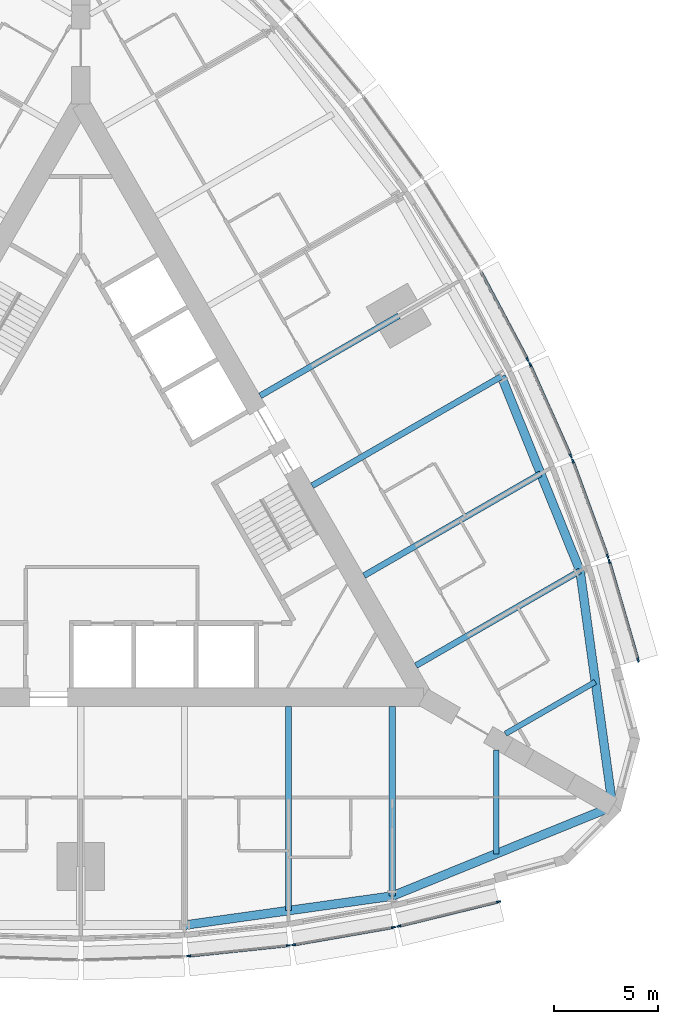
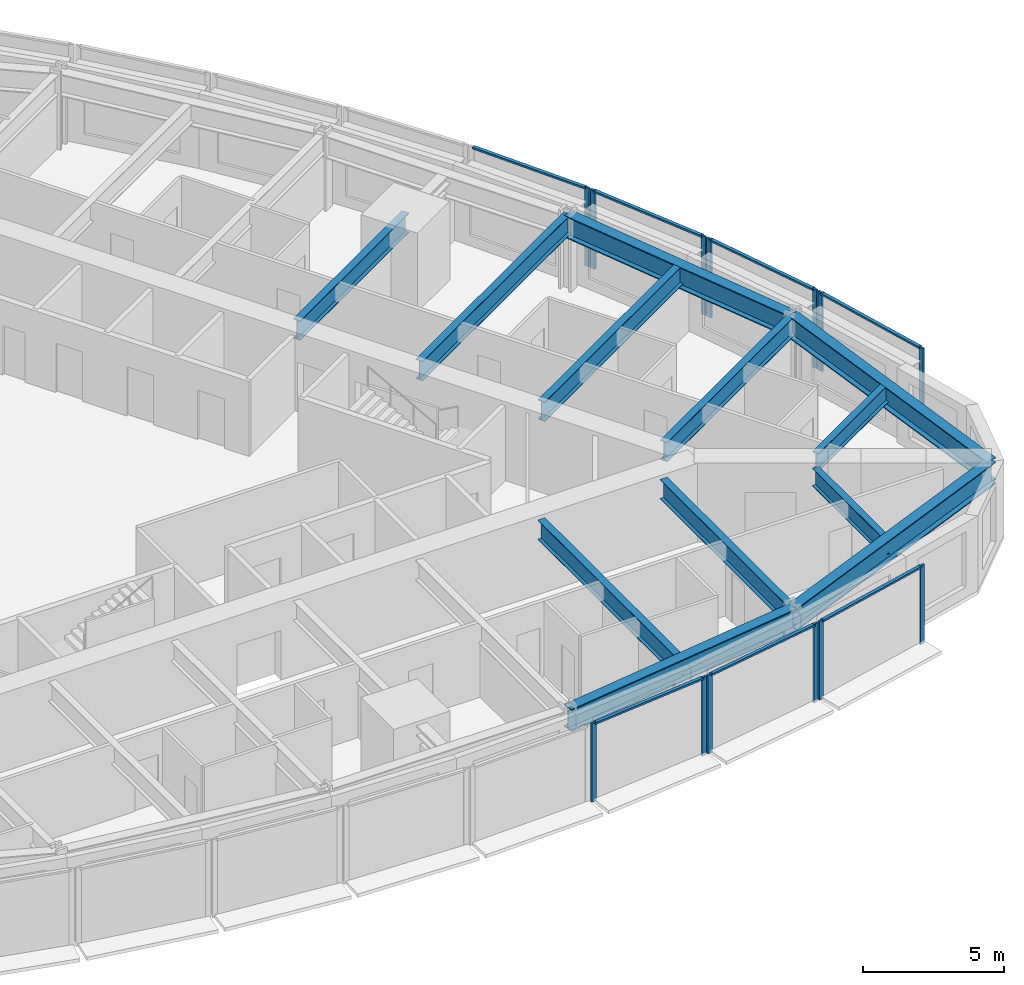
# One storey, part 3 of 14: 20 members, 12 beams, 7 elements without a shape of their own.
"""IFC4 building model written with IfcOpenShell, lengths in metres."""

from ifc_helpers import new_model, si_unit, direction, frame, origin, origin_2d, place, context, subcontext, project, spatial, rectangle, i_section, extrude, material, material_profile, profile_set, type_object, element, aggregate, save


model = new_model("IFC4")

# Units and contexts
model_context = context("Model", 3, precision=1e-05, world=origin(), true_north=direction((0.0, 1.0)))
body_context = subcontext(model_context, "Body", "Model", "MODEL_VIEW")
ifc_project = project(units=[si_unit("LENGTHUNIT", "METRE"), si_unit("AREAUNIT", "SQUARE_METRE"), si_unit("VOLUMEUNIT", "CUBIC_METRE"), si_unit("PLANEANGLEUNIT", "RADIAN"), si_unit("MASSUNIT", "GRAM", prefix="KILO")], contexts=[model_context])

# Site, building, storey
site_placement = place(None, origin())
site = spatial("IfcSite", under=ifc_project, at=site_placement, CompositionType="ELEMENT")
building_placement = place(site_placement, origin())
building = spatial("IfcBuilding", under=site, at=building_placement, Name="Trikona Tower", CompositionType="ELEMENT")
storey_placement = place(building_placement, frame((0.0, 0.0, 128.300048828125)))
storey = spatial("IfcBuildingStorey", under=building, at=storey_placement, Name="L33", CompositionType="ELEMENT", Elevation=128.300048828125)

# Curtain wall, members
ifc_material_1 = material(Name="Aluminium curtain wall system", Category="aluminium")
curtain_wall_type = type_object("IfcCurtainWallType", Name="Curtain wall DS2", PredefinedType="NOTDEFINED", material=ifc_material_1)
curtain_wall_1_placement = place(storey_placement, origin())
curtain_wall_1 = element("IfcCurtainWall", 1, at=curtain_wall_1_placement, inside=storey, type_object=curtain_wall_type, Name="Curtain wall DS2 L33", PredefinedType="NOTDEFINED")
ifc_material_2 = material(Name="Aluminium mullion, pale anodised", Category="aluminium")
ifc_material_profile_1 = material_profile(ifc_material_2, rectangle(XDim=0.080078125, YDim=0.199951171875, at=origin_2d()), Name="MUL-DS2")
ifc_profile_set_1 = profile_set([ifc_material_profile_1], Name="Aluminium mullion, pale anodised")
member_type_1 = type_object("IfcMemberType", Name="Mullion DS2 80x200", PredefinedType="MULLION", material=ifc_profile_set_1)
member_1_placement = place(storey_placement, frame((5.193359375, -21.98486328125, 0.0), z_axis=(0.0, 0.0, 1.0), x_axis=(-0.104433387357, 0.994531883654, 0.0)))
member_1 = element("IfcMember", 2, at=member_1_placement, type_object=member_type_1, Name="CW-DS2 mullion 1", PredefinedType="MULLION", context=body_context, shape_type="SweptSolid", body=[
    extrude(rectangle(XDim=0.080078125, YDim=0.199951171875, at=origin_2d()), origin(), (0.0, 0.0, 1.0), 3.39990234375),
])
member_2_placement = place(storey_placement, frame((9.99462890625, -21.480712890625, 0.0), z_axis=(0.0, 0.0, 1.0), x_axis=(-0.104433387357, 0.994531883654, 0.0)))
member_2 = element("IfcMember", 3, at=member_2_placement, type_object=member_type_1, Name="CW-DS2 mullion 2", PredefinedType="MULLION", context=body_context, shape_type="SweptSolid", body=[
    extrude(rectangle(XDim=0.080078125, YDim=0.199951171875, at=origin_2d()), origin(), (0.0, 0.0, 1.0), 3.39990234375),
])

curtain_wall_2_placement = place(storey_placement, origin())
curtain_wall_2 = element("IfcCurtainWall", 4, at=curtain_wall_2_placement, inside=storey, type_object=curtain_wall_type, Name="Curtain wall DS2 L33", PredefinedType="NOTDEFINED")
member_3_placement = place(storey_placement, frame((10.253662109375, -21.444580078125, 0.0), z_axis=(0.0, 0.0, 1.0), x_axis=(-0.17237739505, 0.985030981074, 0.0)))
member_3 = element("IfcMember", 5, at=member_3_placement, type_object=member_type_1, Name="CW-DS2 mullion 1", PredefinedType="MULLION", context=body_context, shape_type="SweptSolid", body=[
    extrude(rectangle(XDim=0.080078125, YDim=0.199951171875, at=origin_2d()), origin(), (0.0, 0.0, 1.0), 3.39990234375),
])
member_4_placement = place(storey_placement, frame((15.056640625, -20.60400390625, 0.0), z_axis=(0.0, 0.0, 1.0), x_axis=(-0.17237739505, 0.985030981074, 0.0)))
member_4 = element("IfcMember", 6, at=member_4_placement, type_object=member_type_1, Name="CW-DS2 mullion 2", PredefinedType="MULLION", context=body_context, shape_type="SweptSolid", body=[
    extrude(rectangle(XDim=0.080078125, YDim=0.199951171875, at=origin_2d()), origin(), (0.0, 0.0, 1.0), 3.39990234375),
])

curtain_wall_3_placement = place(storey_placement, origin())
curtain_wall_3 = element("IfcCurtainWall", 7, at=curtain_wall_3_placement, inside=storey, type_object=curtain_wall_type, Name="Curtain wall DS2 L33", PredefinedType="NOTDEFINED")
member_5_placement = place(storey_placement, frame((15.311279296875, -20.550537109375, 0.0), z_axis=(0.0, 0.0, 1.0), x_axis=(-0.237970204243, 0.971272455026, 0.0)))
member_5 = element("IfcMember", 8, at=member_5_placement, type_object=member_type_1, Name="CW-DS2 mullion 1", PredefinedType="MULLION", context=body_context, shape_type="SweptSolid", body=[
    extrude(rectangle(XDim=0.080078125, YDim=0.199951171875, at=origin_2d()), origin(), (0.0, 0.0, 1.0), 3.39990234375),
])
member_6_placement = place(storey_placement, frame((20.116943359375, -19.373046875, 0.0), z_axis=(0.0, 0.0, 1.0), x_axis=(-0.237970204243, 0.971272455026, 0.0)))
member_6 = element("IfcMember", 9, at=member_6_placement, type_object=member_type_1, Name="CW-DS2 mullion 2", PredefinedType="MULLION", context=body_context, shape_type="SweptSolid", body=[
    extrude(rectangle(XDim=0.080078125, YDim=0.199951171875, at=origin_2d()), origin(), (0.0, 0.0, 1.0), 3.39990234375),
])

curtain_wall_4_placement = place(storey_placement, origin())
curtain_wall_4 = element("IfcCurtainWall", 10, at=curtain_wall_4_placement, inside=storey, type_object=curtain_wall_type, Name="Curtain wall DS2 L33", PredefinedType="NOTDEFINED")
member_7_placement = place(storey_placement, frame((26.836181640625, -7.7353515625, 0.0), z_axis=(0.0, 0.0, 1.0), x_axis=(-0.96013310152, -0.279543247757, 0.0)))
member_7 = element("IfcMember", 11, at=member_7_placement, type_object=member_type_1, Name="CW-DS2 mullion 1", PredefinedType="MULLION", context=body_context, shape_type="SweptSolid", body=[
    extrude(rectangle(XDim=0.080078125, YDim=0.199951171875, at=origin_2d()), origin(), (0.0, 0.0, 1.0), 3.39990234375),
])
member_8_placement = place(storey_placement, frame((25.452880859375, -2.984619140625, 0.0), z_axis=(0.0, 0.0, 1.0), x_axis=(-0.96013310152, -0.279543247757, 0.0)))
member_8 = element("IfcMember", 12, at=member_8_placement, type_object=member_type_1, Name="CW-DS2 mullion 2", PredefinedType="MULLION", context=body_context, shape_type="SweptSolid", body=[
    extrude(rectangle(XDim=0.080078125, YDim=0.199951171875, at=origin_2d()), origin(), (0.0, 0.0, 1.0), 3.39990234375),
])

curtain_wall_5_placement = place(storey_placement, origin())
curtain_wall_5 = element("IfcCurtainWall", 13, at=curtain_wall_5_placement, inside=storey, type_object=curtain_wall_type, Name="Curtain wall DS2 L33", PredefinedType="NOTDEFINED")
member_9_placement = place(storey_placement, frame((25.371826171875, -2.737548828125, 0.0), z_axis=(0.0, 0.0, 1.0), x_axis=(-0.939253790978, -0.343223420143, 0.0)))
member_9 = element("IfcMember", 14, at=member_9_placement, type_object=member_type_1, Name="CW-DS2 mullion 1", PredefinedType="MULLION", context=body_context, shape_type="SweptSolid", body=[
    extrude(rectangle(XDim=0.080078125, YDim=0.199951171875, at=origin_2d()), origin(), (0.0, 0.0, 1.0), 3.39990234375),
])
member_10_placement = place(storey_placement, frame((23.6982421875, 1.84228515625, 0.0), z_axis=(0.0, 0.0, 1.0), x_axis=(-0.939253790978, -0.343223420143, 0.0)))
member_10 = element("IfcMember", 15, at=member_10_placement, type_object=member_type_1, Name="CW-DS2 mullion 2", PredefinedType="MULLION", context=body_context, shape_type="SweptSolid", body=[
    extrude(rectangle(XDim=0.080078125, YDim=0.199951171875, at=origin_2d()), origin(), (0.0, 0.0, 1.0), 3.39990234375),
])

curtain_wall_6_placement = place(storey_placement, origin())
curtain_wall_6 = element("IfcCurtainWall", 16, at=curtain_wall_6_placement, inside=storey, type_object=curtain_wall_type, Name="Curtain wall DS2 L33", PredefinedType="NOTDEFINED")
member_11_placement = place(storey_placement, frame((23.60009765625, 2.0849609375, 0.0), z_axis=(0.0, 0.0, 1.0), x_axis=(-0.913501208767, -0.406836013132, 0.0)))
member_11 = element("IfcMember", 17, at=member_11_placement, type_object=member_type_1, Name="CW-DS2 mullion 1", PredefinedType="MULLION", context=body_context, shape_type="SweptSolid", body=[
    extrude(rectangle(XDim=0.080078125, YDim=0.199951171875, at=origin_2d()), origin(), (0.0, 0.0, 1.0), 3.39990234375),
])
member_12_placement = place(storey_placement, frame((21.63623046875, 6.494873046875, 0.0), z_axis=(0.0, 0.0, 1.0), x_axis=(-0.913501208767, -0.406836013132, 0.0)))
member_12 = element("IfcMember", 18, at=member_12_placement, type_object=member_type_1, Name="CW-DS2 mullion 2", PredefinedType="MULLION", context=body_context, shape_type="SweptSolid", body=[
    extrude(rectangle(XDim=0.080078125, YDim=0.199951171875, at=origin_2d()), origin(), (0.0, 0.0, 1.0), 3.39990234375),
])

# Curtain wall, member
curtain_wall_7_placement = place(storey_placement, origin())
curtain_wall_7 = element("IfcCurtainWall", 19, at=curtain_wall_7_placement, inside=storey, type_object=curtain_wall_type, Name="Curtain wall DS2 L33", PredefinedType="NOTDEFINED")
member_13_placement = place(storey_placement, frame((21.52099609375, 6.730712890625, 0.0), z_axis=(0.0, 0.0, 1.0), x_axis=(-0.882996107343, -0.469380308937, 0.0)))
member_13 = element("IfcMember", 20, at=member_13_placement, type_object=member_type_1, Name="CW-DS2 mullion 1", PredefinedType="MULLION", context=body_context, shape_type="SweptSolid", body=[
    extrude(rectangle(XDim=0.080078125, YDim=0.199951171875, at=origin_2d()), origin(), (0.0, 0.0, 1.0), 3.39990234375),
])

# Beams
ifc_material_3 = material(Name="Steel ASTM A992 Grade 50", Category="steel")
ifc_material_profile_2 = material_profile(ifc_material_3, i_section(OverallWidth=0.2666015625, OverallDepth=0.76953125, WebThickness=0.015625, FlangeThickness=0.025390625, at=origin_2d()), Name="W30X132")
ifc_profile_set_2 = profile_set([ifc_material_profile_2], Name="Steel ASTM A992 Grade 50")
beam_type_1 = type_object("IfcBeamType", Name="Steel beam W30x132 (wedge)", PredefinedType="BEAM", material=ifc_profile_set_2)
beam_1_placement = place(storey_placement, frame((20.0, -12.066650390625, 2.85009765625), z_axis=(0.0, -1.0, 0.0), x_axis=(1.0, 0.0, 0.0)))
element("IfcBeam", 21, at=beam_1_placement, inside=storey, type_object=beam_type_1, Name="Floor beam L34 F1 u20", PredefinedType="BEAM", context=body_context, shape_type="SweptSolid", body=[
    extrude(i_section(OverallWidth=0.2666015625, OverallDepth=0.76953125, WebThickness=0.015625, FlangeThickness=0.025390625, at=origin_2d()), origin(), (0.0, 0.0, 1.0), 5.00048828125),
])
beam_2_placement = place(storey_placement, frame((20.449951171875, -11.287109375, 2.85009765625), z_axis=(0.866038434829, 0.49997742889, 0.0), x_axis=(-0.49997742889, 0.866038434829, 0.0)))
element("IfcBeam", 22, at=beam_2_placement, inside=storey, type_object=beam_type_1, Name="Floor beam L34 F2 u-20", PredefinedType="BEAM", context=body_context, shape_type="SweptSolid", body=[
    extrude(i_section(OverallWidth=0.2666015625, OverallDepth=0.76953125, WebThickness=0.015625, FlangeThickness=0.025390625, at=origin_2d()), origin(), (0.0, 0.0, 1.0), 5.000732421875),
])
ifc_material_4 = material(Name="Steel ASTM A992 Grade 50", Category="steel")
ifc_material_profile_3 = material_profile(ifc_material_4, i_section(OverallWidth=0.2919921875, OverallDepth=0.845703125, WebThickness=0.015380859375, FlangeThickness=0.0244140625, at=origin_2d()), Name="W33X141")
ifc_profile_set_3 = profile_set([ifc_material_profile_3], Name="Steel ASTM A992 Grade 50")
beam_type_2 = type_object("IfcBeamType", Name="Steel beam W33x141 (radial typ)", PredefinedType="BEAM", material=ifc_profile_set_3)
beam_3_placement = place(storey_placement, frame((10.0, -9.976318359375, 2.81201171875), z_axis=(0.0, -1.0, 0.0), x_axis=(1.0, 0.0, 0.0)))
element("IfcBeam", 23, at=beam_3_placement, inside=storey, type_object=beam_type_2, Name="Floor beam L34 F1 u10", PredefinedType="BEAM", context=body_context, shape_type="SweptSolid", body=[
    extrude(i_section(OverallWidth=0.2919921875, OverallDepth=0.845703125, WebThickness=0.015380859375, FlangeThickness=0.0244140625, at=origin_2d()), origin(), (0.0, 0.0, 1.0), 9.823974609375),
])
beam_4_placement = place(storey_placement, frame((15.0, -9.976318359375, 2.81201171875), z_axis=(0.0, -1.0, 0.0), x_axis=(1.0, 0.0, 0.0)))
element("IfcBeam", 24, at=beam_4_placement, inside=storey, type_object=beam_type_2, Name="Floor beam L34 F1 u15", PredefinedType="BEAM", context=body_context, shape_type="SweptSolid", body=[
    extrude(i_section(OverallWidth=0.2919921875, OverallDepth=0.845703125, WebThickness=0.015380859375, FlangeThickness=0.0244140625, at=origin_2d()), origin(), (0.0, 0.0, 1.0), 9.123779296875),
])
beam_5_placement = place(storey_placement, frame((16.1396484375, -8.002197265625, 2.81201171875), z_axis=(0.866024725532, 0.500001174766, 0.0), x_axis=(-0.500001174766, 0.866024725532, 0.0)))
element("IfcBeam", 25, at=beam_5_placement, inside=storey, type_object=beam_type_2, Name="Floor beam L34 F2 u-15", PredefinedType="BEAM", context=body_context, shape_type="SweptSolid", body=[
    extrude(i_section(OverallWidth=0.2919921875, OverallDepth=0.845703125, WebThickness=0.015380859375, FlangeThickness=0.0244140625, at=origin_2d()), origin(), (0.0, 0.0, 1.0), 9.1240234375),
])
beam_6_placement = place(storey_placement, frame((13.6396484375, -3.672119140625, 2.81201171875), z_axis=(0.866020046725, 0.500009278584, 0.0), x_axis=(-0.500009278584, 0.866020046725, 0.0)))
element("IfcBeam", 26, at=beam_6_placement, inside=storey, type_object=beam_type_2, Name="Floor beam L34 F2 u-10", PredefinedType="BEAM", context=body_context, shape_type="SweptSolid", body=[
    extrude(i_section(OverallWidth=0.2919921875, OverallDepth=0.845703125, WebThickness=0.015380859375, FlangeThickness=0.0244140625, at=origin_2d()), origin(), (0.0, 0.0, 1.0), 9.823974609375),
])
beam_7_placement = place(storey_placement, frame((11.1396484375, 0.657958984375, 2.81201171875), z_axis=(0.866026035623, 0.499998905622, 0.0), x_axis=(-0.499998905622, 0.866026035623, 0.0)))
element("IfcBeam", 27, at=beam_7_placement, inside=storey, type_object=beam_type_2, Name="Floor beam L34 F2 u-5", PredefinedType="BEAM", context=body_context, shape_type="SweptSolid", body=[
    extrude(i_section(OverallWidth=0.2919921875, OverallDepth=0.845703125, WebThickness=0.015380859375, FlangeThickness=0.0244140625, at=origin_2d()), origin(), (0.0, 0.0, 1.0), 10.52392578125),
])
beam_8_placement = place(storey_placement, frame((8.6396484375, 4.988037109375, 2.81201171875), z_axis=(0.866017246294, 0.500014128921, 0.0), x_axis=(-0.500014128921, 0.866017246294, 0.0)))
element("IfcBeam", 28, at=beam_8_placement, inside=storey, type_object=beam_type_2, Name="Floor beam L34 F2 u0", PredefinedType="BEAM", context=body_context, shape_type="SweptSolid", body=[
    extrude(i_section(OverallWidth=0.2919921875, OverallDepth=0.845703125, WebThickness=0.015380859375, FlangeThickness=0.0244140625, at=origin_2d()), origin(), (0.0, 0.0, 1.0), 7.704345703125),
])
ifc_material_5 = material(Name="Steel ASTM A992 Grade 50", Category="steel")
ifc_material_profile_4 = material_profile(ifc_material_5, i_section(OverallWidth=0.424072265625, OverallDepth=0.947509765625, WebThickness=0.02392578125, FlangeThickness=0.042724609375, at=origin_2d()), Name="W36X302")
ifc_profile_set_4 = profile_set([ifc_material_profile_4], Name="Steel ASTM A992 Grade 50")
beam_type_3 = type_object("IfcBeamType", Name="Steel beam W36x302 (spandrel)", PredefinedType="SPANDREL", material=ifc_profile_set_4)
beam_9_placement = place(storey_placement, frame((5.0, -20.500244140625, 2.76123046875), z_axis=(0.990339754644, 0.13866207258, 0.0), x_axis=(-0.13866207258, 0.990339754644, 0.0)))
element("IfcBeam", 29, at=beam_9_placement, inside=storey, type_object=beam_type_3, Name="Spandrel beam L34 F1-4", PredefinedType="SPANDREL", context=body_context, shape_type="SweptSolid", body=[
    extrude(i_section(OverallWidth=0.424072265625, OverallDepth=0.947509765625, WebThickness=0.02392578125, FlangeThickness=0.042724609375, at=origin_2d()), origin(), (0.0, 0.0, 1.0), 10.09765625),
])
for number, where, z_axis, x_axis, name in (
    (30, (15.0, -19.10009765625, 2.76123046875), (0.926359695662, 0.376640032728, 0.0), (-0.376640032728, 0.926359695662, 0.0), "Spandrel beam L34 F1-5"),
    (31, (25.6103515625, -14.7861328125, 2.76123046875), (-0.136991535842, 0.990572218017, 0.0), (-0.990572218017, -0.136991535842, 0.0), "Spandrel beam L34 F2-1"),
):
    element("IfcBeam", number, at=place(storey_placement, frame(where, z_axis=z_axis, x_axis=x_axis)), inside=storey, type_object=beam_type_3, Name=name, PredefinedType="SPANDREL", context=body_context, shape_type="SweptSolid", body=[
        extrude(i_section(OverallWidth=0.424072265625, OverallDepth=0.947509765625, WebThickness=0.02392578125, FlangeThickness=0.042724609375, at=origin_2d()), origin(), (0.0, 0.0, 1.0), 11.453857421875),
    ])
beam_10_placement = place(storey_placement, frame((24.041259765625, -3.440185546875, 2.76123046875), z_axis=(-0.375106193787, 0.926981846307, 0.0), x_axis=(-0.926981846307, -0.375106193787, 0.0)))
element("IfcBeam", 32, at=beam_10_placement, inside=storey, type_object=beam_type_3, Name="Spandrel beam L34 F2-2", PredefinedType="SPANDREL", context=body_context, shape_type="SweptSolid", body=[
    extrude(i_section(OverallWidth=0.424072265625, OverallDepth=0.947509765625, WebThickness=0.02392578125, FlangeThickness=0.042724609375, at=origin_2d()), origin(), (0.0, 0.0, 1.0), 10.097412109375),
])

# Member
ifc_material_6 = material(Name="Aluminium transom, pale anodised", Category="aluminium")
ifc_material_profile_5 = material_profile(ifc_material_6, rectangle(XDim=0.139892578125, YDim=0.080078125, at=origin_2d()), Name="TRN-DS2")
ifc_profile_set_5 = profile_set([ifc_material_profile_5], Name="Aluminium transom, pale anodised")
member_type_2 = type_object("IfcMemberType", Name="Transom DS2 80x140", PredefinedType="USERDEFINED", material=ifc_profile_set_5)
member_14_placement = place(storey_placement, frame((5.233154296875, -21.980712890625, 3.35986328125), z_axis=(0.99453106441, 0.104441188822, 0.0), x_axis=(-0.104441188822, 0.99453106441, 0.0)))
member_14 = element("IfcMember", 33, at=member_14_placement, type_object=member_type_2, Name="CW-DS2 transom 1.1", ObjectType="TRANSOM", PredefinedType="USERDEFINED", context=body_context, shape_type="SweptSolid", body=[
    extrude(rectangle(XDim=0.139892578125, YDim=0.080078125, at=origin_2d()), origin(), (0.0, 0.0, 1.0), 4.74755859375),
])

aggregate(curtain_wall_1, [member_1, member_2, member_14])

member_15_placement = place(storey_placement, frame((10.29296875, -21.4375, 3.35986328125), z_axis=(0.98503262804, 0.172367983387, 0.0), x_axis=(-0.172367983387, 0.98503262804, 0.0)))
member_15 = element("IfcMember", 34, at=member_15_placement, type_object=member_type_2, Name="CW-DS2 transom 1.1", ObjectType="TRANSOM", PredefinedType="USERDEFINED", context=body_context, shape_type="SweptSolid", body=[
    extrude(rectangle(XDim=0.139892578125, YDim=0.080078125, at=origin_2d()), origin(), (0.0, 0.0, 1.0), 4.7958984375),
])

aggregate(curtain_wall_2, [member_3, member_4, member_15])

member_16_placement = place(storey_placement, frame((15.35009765625, -20.541015625, 3.35986328125), z_axis=(0.971270583303, 0.237977843528, 0.0), x_axis=(-0.237977843528, 0.971270583303, 0.0)))
member_16 = element("IfcMember", 35, at=member_16_placement, type_object=member_type_2, Name="CW-DS2 transom 1.1", ObjectType="TRANSOM", PredefinedType="USERDEFINED", context=body_context, shape_type="SweptSolid", body=[
    extrude(rectangle(XDim=0.139892578125, YDim=0.080078125, at=origin_2d()), origin(), (0.0, 0.0, 1.0), 4.867919921875),
])

aggregate(curtain_wall_3, [member_5, member_6, member_16])

member_17_placement = place(storey_placement, frame((26.824951171875, -7.69677734375, 3.35986328125), z_axis=(-0.279566628153, 0.960126293996, 0.0), x_axis=(-0.960126293996, -0.279566628153, 0.0)))
member_17 = element("IfcMember", 36, at=member_17_placement, type_object=member_type_2, Name="CW-DS2 transom 1.1", ObjectType="TRANSOM", PredefinedType="USERDEFINED", context=body_context, shape_type="SweptSolid", body=[
    extrude(rectangle(XDim=0.139892578125, YDim=0.080078125, at=origin_2d()), origin(), (0.0, 0.0, 1.0), 4.86767578125),
])

aggregate(curtain_wall_4, [member_7, member_8, member_17])

member_18_placement = place(storey_placement, frame((25.358154296875, -2.699951171875, 3.35986328125), z_axis=(-0.343205907674, 0.939260190223, 0.0), x_axis=(-0.939260190223, -0.343205907674, 0.0)))
member_18 = element("IfcMember", 37, at=member_18_placement, type_object=member_type_2, Name="CW-DS2 transom 1.1", ObjectType="TRANSOM", PredefinedType="USERDEFINED", context=body_context, shape_type="SweptSolid", body=[
    extrude(rectangle(XDim=0.139892578125, YDim=0.080078125, at=origin_2d()), origin(), (0.0, 0.0, 1.0), 4.7958984375),
])

aggregate(curtain_wall_5, [member_9, member_10, member_18])

member_19_placement = place(storey_placement, frame((23.583740234375, 2.12158203125, 3.35986328125), z_axis=(-0.406839769607, 0.913499535778, 0.0), x_axis=(-0.913499535778, -0.406839769607, 0.0)))
member_19 = element("IfcMember", 38, at=member_19_placement, type_object=member_type_2, Name="CW-DS2 transom 1.1", ObjectType="TRANSOM", PredefinedType="USERDEFINED", context=body_context, shape_type="SweptSolid", body=[
    extrude(rectangle(XDim=0.139892578125, YDim=0.080078125, at=origin_2d()), origin(), (0.0, 0.0, 1.0), 4.747314453125),
])

aggregate(curtain_wall_6, [member_11, member_12, member_19])

member_20_placement = place(storey_placement, frame((21.502197265625, 6.76611328125, 3.35986328125), z_axis=(-0.469364343408, 0.883004594063, 0.0), x_axis=(-0.883004594063, -0.469364343408, 0.0)))
member_20 = element("IfcMember", 39, at=member_20_placement, type_object=member_type_2, Name="CW-DS2 transom 1.1", ObjectType="TRANSOM", PredefinedType="USERDEFINED", context=body_context, shape_type="SweptSolid", body=[
    extrude(rectangle(XDim=0.139892578125, YDim=0.080078125, at=origin_2d()), origin(), (0.0, 0.0, 1.0), 4.722900390625),
])

aggregate(curtain_wall_7, [member_13, member_20])

save(model, "model.ifc")
